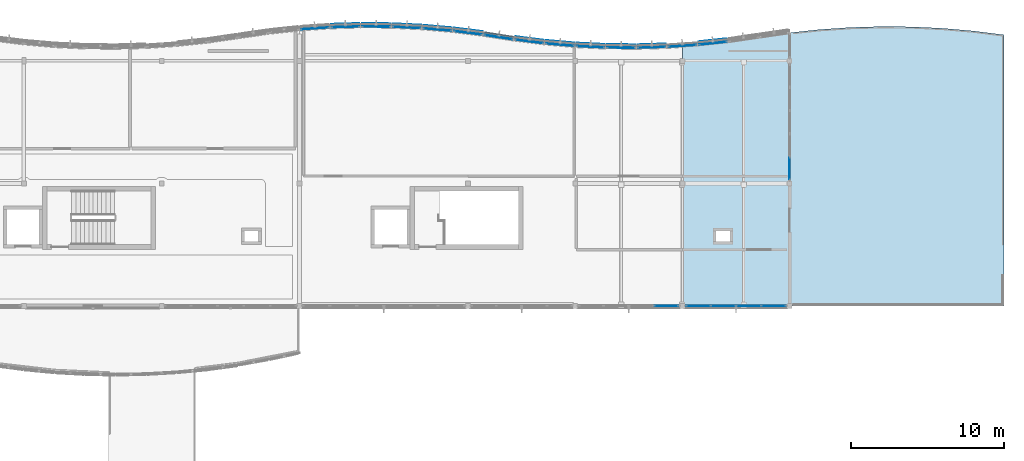
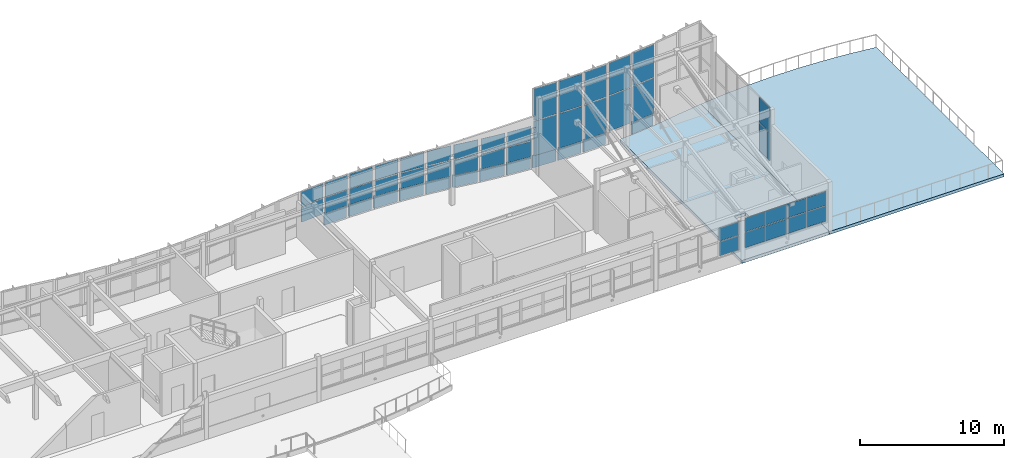
# One storey, part 18 of 33: 52 plates, 2 slabs, 17 elements without a shape of their own.
"""IFC4 building model written with IfcOpenShell, lengths in metres."""

from ifc_helpers import new_model, si_unit, direction, frame, origin, origin_2d, place, context, subcontext, project, spatial, polyline, rectangle, outline, extrude, material, layer, layer_set, type_object, element, aggregate, save


model = new_model("IFC4")

# Units and contexts
model_context = context("Model", 3, precision=1e-05, world=origin(), true_north=direction((0.0, 1.0)))
body_context = subcontext(model_context, "Body", "Model", "MODEL_VIEW")
ifc_project = project(units=[si_unit("LENGTHUNIT", "METRE"), si_unit("AREAUNIT", "SQUARE_METRE"), si_unit("VOLUMEUNIT", "CUBIC_METRE"), si_unit("PLANEANGLEUNIT", "RADIAN"), si_unit("MASSUNIT", "GRAM", prefix="KILO")], contexts=[model_context])

# Site, building, storey
site_placement = place(None, origin())
site = spatial("IfcSite", under=ifc_project, at=site_placement, CompositionType="ELEMENT")
building_placement = place(site_placement, origin())
building = spatial("IfcBuilding", under=site, at=building_placement, Name="Tonlespit Floodbar School", CompositionType="ELEMENT")
storey_placement = place(building_placement, frame((0.0, 0.0, 16.199951171875)))
storey = spatial("IfcBuildingStorey", under=building, at=storey_placement, Name="L04", CompositionType="ELEMENT", Elevation=16.199951171875)

# Curtain wall, plates
ifc_material_1 = material(Name="Anodised Aluminium", Category="aluminium")
ifc_layer_1 = layer(ifc_material_1, 0.159912109375)
ifc_layer_set_1 = layer_set([ifc_layer_1], Name="Anodised Aluminium")
curtain_wall_type_1 = type_object("IfcCurtainWallType", Name="CurtainWall_1900x2700", PredefinedType="NOTDEFINED", material=ifc_layer_set_1)
curtain_wall_1_placement = place(storey_placement, origin())
curtain_wall_1 = element("IfcCurtainWall", 1, at=curtain_wall_1_placement, inside=storey, type_object=curtain_wall_type_1, Name="L04 unitised curtain wall 0477", PredefinedType="NOTDEFINED")
ifc_material_2 = material(Name="Laminated Low-E Glass", Category="glass")
ifc_layer_2 = layer(ifc_material_2, 0.028076171875)
ifc_layer_set_2 = layer_set([ifc_layer_2], Name="Laminated Low-E Glass")
plate_type_1 = type_object("IfcPlateType", Name="CW_Panel_Glaz_28", PredefinedType="CURTAIN_PANEL", material=ifc_layer_set_2)
plate_1_placement = place(storey_placement, frame((123.0, 122.1796875, 1.01513671875), z_axis=(0.0, 0.0, 1.0), x_axis=(0.998841500616, -0.048121270216, 0.0)))
plate_1 = element("IfcPlate", 2, at=plate_1_placement, type_object=plate_type_1, Name="CW-05 panel 1.1", PredefinedType="CURTAIN_PANEL", context=body_context, shape_type="SweptSolid", body=[
    extrude(rectangle(XDim=1.792236328125, YDim=0.028076171875, at=origin_2d()), origin(), (0.0, 0.0, 1.0), 1.30859375),
])
plate_2_placement = place(storey_placement, frame((123.0, 122.1796875, 2.388671875), z_axis=(0.0, 0.0, 1.0), x_axis=(0.998841500616, -0.048121270216, 0.0)))
plate_2 = element("IfcPlate", 3, at=plate_2_placement, type_object=plate_type_1, Name="CW-05 panel 1.2", PredefinedType="CURTAIN_PANEL", context=body_context, shape_type="SweptSolid", body=[
    extrude(rectangle(XDim=1.792236328125, YDim=0.028076171875, at=origin_2d()), origin(), (0.0, 0.0, 1.0), 1.200439453125),
])
aggregate(curtain_wall_1, [plate_1, plate_2])

ifc_layer_3 = layer(ifc_material_1, 0.159912109375)
ifc_layer_set_3 = layer_set([ifc_layer_3], Name="Anodised Aluminium")
curtain_wall_type_2 = type_object("IfcCurtainWallType", Name="CurtainWall_1950x2700", PredefinedType="NOTDEFINED", material=ifc_layer_set_3)
curtain_wall_2_placement = place(storey_placement, origin())
curtain_wall_2 = element("IfcCurtainWall", 4, at=curtain_wall_2_placement, inside=storey, type_object=curtain_wall_type_2, Name="L04 unitised curtain wall 0481", PredefinedType="NOTDEFINED")
plate_3_placement = place(storey_placement, frame((131.0, 121.268310546875, 1.01513671875), z_axis=(0.0, 0.0, 1.0), x_axis=(0.992155002499, -0.125013803299, 0.0)))
plate_3 = element("IfcPlate", 5, at=plate_3_placement, type_object=plate_type_1, Name="CW-04 panel 1.1", PredefinedType="CURTAIN_PANEL", context=body_context, shape_type="SweptSolid", body=[
    extrude(rectangle(XDim=1.805908203125, YDim=0.028076171875, at=origin_2d()), origin(), (0.0, 0.0, 1.0), 1.30859375),
])
plate_4_placement = place(storey_placement, frame((131.0, 121.268310546875, 2.388671875), z_axis=(0.0, 0.0, 1.0), x_axis=(0.992155002499, -0.125013803299, 0.0)))
plate_4 = element("IfcPlate", 6, at=plate_4_placement, type_object=plate_type_1, Name="CW-04 panel 1.2", PredefinedType="CURTAIN_PANEL", context=body_context, shape_type="SweptSolid", body=[
    extrude(rectangle(XDim=1.805908203125, YDim=0.028076171875, at=origin_2d()), origin(), (0.0, 0.0, 1.0), 1.200439453125),
])
aggregate(curtain_wall_2, [plate_3, plate_4])

ifc_layer_4 = layer(ifc_material_1, 0.159912109375)
ifc_layer_set_4 = layer_set([ifc_layer_4], Name="Anodised Aluminium")
curtain_wall_type_3 = type_object("IfcCurtainWallType", Name="CurtainWall_1900x5850", PredefinedType="NOTDEFINED", material=ifc_layer_set_4)
curtain_wall_3_placement = place(storey_placement, origin())
curtain_wall_3 = element("IfcCurtainWall", 7, at=curtain_wall_3_placement, inside=storey, type_object=curtain_wall_type_3, Name="L04 unitised curtain wall 0485", PredefinedType="NOTDEFINED")
plate_5_placement = place(storey_placement, frame((139.0, 120.8818359375, 1.01513671875), z_axis=(0.0, 0.0, 1.0), x_axis=(0.999585477883, 0.028790144226, 0.0)))
plate_5 = element("IfcPlate", 8, at=plate_5_placement, type_object=plate_type_1, Name="CW-70 panel 1.1", PredefinedType="CURTAIN_PANEL", context=body_context, shape_type="SweptSolid", body=[
    extrude(rectangle(XDim=1.790771484375, YDim=0.028076171875, at=origin_2d()), origin(), (0.0, 0.0, 1.0), 2.953125),
])
plate_6_placement = place(storey_placement, frame((139.0, 120.8818359375, 4.033203125), z_axis=(0.0, 0.0, 1.0), x_axis=(0.999585477883, 0.028790144226, 0.0)))
plate_6 = element("IfcPlate", 9, at=plate_6_placement, type_object=plate_type_1, Name="CW-70 panel 1.2", PredefinedType="CURTAIN_PANEL", context=body_context, shape_type="SweptSolid", body=[
    extrude(rectangle(XDim=1.790771484375, YDim=0.028076171875, at=origin_2d()), origin(), (0.0, 0.0, 1.0), 2.718505859375),
])
aggregate(curtain_wall_3, [plate_5, plate_6])

ifc_layer_5 = layer(ifc_material_1, 0.159912109375)
ifc_layer_set_5 = layer_set([ifc_layer_5], Name="Anodised Aluminium")
curtain_wall_type_4 = type_object("IfcCurtainWallType", Name="CurtainWall_6600x2500", PredefinedType="NOTDEFINED", material=ifc_layer_set_5)
curtain_wall_4_placement = place(storey_placement, origin())
curtain_wall_4 = element("IfcCurtainWall", 10, at=curtain_wall_4_placement, inside=storey, type_object=curtain_wall_type_4, Name="L04 unitised curtain wall 0493", PredefinedType="NOTDEFINED")
plate_7_placement = place(storey_placement, frame((139.958740234375, 104.0, 1.014892578125), z_axis=(0.0, 0.0, 1.0), x_axis=(-1.0, 0.0, 0.0)))
plate_7 = element("IfcPlate", 11, at=plate_7_placement, type_object=plate_type_1, Name="CW-78 panel 1.1", PredefinedType="CURTAIN_PANEL", context=body_context, shape_type="SweptSolid", body=[
    extrude(rectangle(XDim=1.552490234375, YDim=0.028076171875, at=origin_2d()), origin(), (0.0, 0.0, 1.0), 1.19921875),
])
plate_8_placement = place(storey_placement, frame((139.958740234375, 104.0, 2.279296875), z_axis=(0.0, 0.0, 1.0), x_axis=(-1.0, 0.0, 0.0)))
plate_8 = element("IfcPlate", 12, at=plate_8_placement, type_object=plate_type_1, Name="CW-78 panel 1.2", PredefinedType="CURTAIN_PANEL", context=body_context, shape_type="SweptSolid", body=[
    extrude(rectangle(XDim=1.552490234375, YDim=0.028076171875, at=origin_2d()), origin(), (0.0, 0.0, 1.0), 1.099365234375),
])
aggregate(curtain_wall_4, [plate_7, plate_8])

curtain_wall_5_placement = place(storey_placement, origin())
curtain_wall_5 = element("IfcCurtainWall", 13, at=curtain_wall_5_placement, inside=storey, type_object=curtain_wall_type_1, Name="L04 unitised curtain wall 0474", PredefinedType="NOTDEFINED")
ifc_layer_6 = layer(ifc_material_2, 0.031982421875)
ifc_layer_set_6 = layer_set([ifc_layer_6], Name="Laminated Low-E Glass")
plate_type_2 = type_object("IfcPlateType", Name="CW_Panel_Glaz_32", PredefinedType="CURTAIN_PANEL", material=ifc_layer_set_6)
plate_9_placement = place(storey_placement, frame((117.0, 122.121826171875, 1.01513671875), z_axis=(0.0, 0.0, 1.0), x_axis=(0.99773010165, 0.067339767311, 0.0)))
plate_9 = element("IfcPlate", 14, at=plate_9_placement, type_object=plate_type_2, Name="CW-05 panel 1.1", PredefinedType="CURTAIN_PANEL", context=body_context, shape_type="SweptSolid", body=[
    extrude(rectangle(XDim=1.794677734375, YDim=0.031982421875, at=origin_2d()), origin(), (0.0, 0.0, 1.0), 1.30859375),
])
plate_10_placement = place(storey_placement, frame((117.0, 122.121826171875, 2.388671875), z_axis=(0.0, 0.0, 1.0), x_axis=(0.99773010165, 0.067339767311, 0.0)))
plate_10 = element("IfcPlate", 15, at=plate_10_placement, type_object=plate_type_2, Name="CW-05 panel 1.2", PredefinedType="CURTAIN_PANEL", context=body_context, shape_type="SweptSolid", body=[
    extrude(rectangle(XDim=1.794677734375, YDim=0.031982421875, at=origin_2d()), origin(), (0.0, 0.0, 1.0), 1.200439453125),
])
aggregate(curtain_wall_5, [plate_9, plate_10])

curtain_wall_6_placement = place(storey_placement, origin())
curtain_wall_6 = element("IfcCurtainWall", 16, at=curtain_wall_6_placement, inside=storey, type_object=curtain_wall_type_2, Name="L04 unitised curtain wall 0478", PredefinedType="NOTDEFINED")
plate_11_placement = place(storey_placement, frame((125.0, 122.044677734375, 1.01513671875), z_axis=(0.0, 0.0, 1.0), x_axis=(0.996249148412, -0.086531117454, 0.0)))
plate_11 = element("IfcPlate", 17, at=plate_11_placement, type_object=plate_type_2, Name="CW-04 panel 1.1", PredefinedType="CURTAIN_PANEL", context=body_context, shape_type="SweptSolid", body=[
    extrude(rectangle(XDim=1.797607421875, YDim=0.031982421875, at=origin_2d()), origin(), (0.0, 0.0, 1.0), 1.30859375),
])
plate_12_placement = place(storey_placement, frame((125.0, 122.044677734375, 2.388671875), z_axis=(0.0, 0.0, 1.0), x_axis=(0.996249148412, -0.086531117454, 0.0)))
plate_12 = element("IfcPlate", 18, at=plate_12_placement, type_object=plate_type_2, Name="CW-04 panel 1.2", PredefinedType="CURTAIN_PANEL", context=body_context, shape_type="SweptSolid", body=[
    extrude(rectangle(XDim=1.797607421875, YDim=0.031982421875, at=origin_2d()), origin(), (0.0, 0.0, 1.0), 1.200439453125),
])
aggregate(curtain_wall_6, [plate_11, plate_12])

curtain_wall_7_placement = place(storey_placement, origin())
curtain_wall_7 = element("IfcCurtainWall", 19, at=curtain_wall_7_placement, inside=storey, type_object=curtain_wall_type_2, Name="L04 unitised curtain wall 0482", PredefinedType="NOTDEFINED")
plate_13_placement = place(storey_placement, frame((133.0, 121.055419921875, 1.01513671875), z_axis=(0.0, 0.0, 1.0), x_axis=(0.996249148412, -0.086531117454, 0.0)))
plate_13 = element("IfcPlate", 20, at=plate_13_placement, type_object=plate_type_2, Name="CW-04 panel 1.1", PredefinedType="CURTAIN_PANEL", context=body_context, shape_type="SweptSolid", body=[
    extrude(rectangle(XDim=1.797607421875, YDim=0.031982421875, at=origin_2d()), origin(), (0.0, 0.0, 1.0), 1.30859375),
])
plate_14_placement = place(storey_placement, frame((133.0, 121.055419921875, 2.388671875), z_axis=(0.0, 0.0, 1.0), x_axis=(0.996249148412, -0.086531117454, 0.0)))
plate_14 = element("IfcPlate", 21, at=plate_14_placement, type_object=plate_type_2, Name="CW-04 panel 1.2", PredefinedType="CURTAIN_PANEL", context=body_context, shape_type="SweptSolid", body=[
    extrude(rectangle(XDim=1.797607421875, YDim=0.031982421875, at=origin_2d()), origin(), (0.0, 0.0, 1.0), 1.200439453125),
])
aggregate(curtain_wall_7, [plate_13, plate_14])

ifc_layer_7 = layer(ifc_material_1, 0.159912109375)
ifc_layer_set_7 = layer_set([ifc_layer_7], Name="Anodised Aluminium")
curtain_wall_type_5 = type_object("IfcCurtainWallType", Name="CurtainWall_1900x5900", PredefinedType="NOTDEFINED", material=ifc_layer_set_7)
curtain_wall_8_placement = place(storey_placement, origin())
curtain_wall_8 = element("IfcCurtainWall", 22, at=curtain_wall_8_placement, inside=storey, type_object=curtain_wall_type_5, Name="L04 unitised curtain wall 0486", PredefinedType="NOTDEFINED")
plate_15_placement = place(storey_placement, frame((141.0, 120.978271484375, 1.01513671875), z_axis=(0.0, 0.0, 1.0), x_axis=(0.99773010165, 0.067339767311, 0.0)))
plate_15 = element("IfcPlate", 23, at=plate_15_placement, type_object=plate_type_2, Name="CW-71 panel 1.1", PredefinedType="CURTAIN_PANEL", context=body_context, shape_type="SweptSolid", body=[
    extrude(rectangle(XDim=1.794677734375, YDim=0.031982421875, at=origin_2d()), origin(), (0.0, 0.0, 1.0), 2.9794921875),
])
plate_16_placement = place(storey_placement, frame((141.0, 120.978271484375, 4.0595703125), z_axis=(0.0, 0.0, 1.0), x_axis=(0.99773010165, 0.067339767311, 0.0)))
plate_16 = element("IfcPlate", 24, at=plate_16_placement, type_object=plate_type_2, Name="CW-71 panel 1.2", PredefinedType="CURTAIN_PANEL", context=body_context, shape_type="SweptSolid", body=[
    extrude(rectangle(XDim=1.794677734375, YDim=0.031982421875, at=origin_2d()), origin(), (0.0, 0.0, 1.0), 2.742919921875),
])
aggregate(curtain_wall_8, [plate_15, plate_16])

curtain_wall_9_placement = place(storey_placement, origin())
curtain_wall_9 = element("IfcCurtainWall", 25, at=curtain_wall_9_placement, inside=storey, type_object=curtain_wall_type_1, Name="L04 unitised curtain wall 0475", PredefinedType="NOTDEFINED")
ifc_layer_8 = layer(ifc_material_2, 0.035888671875)
ifc_layer_set_8 = layer_set([ifc_layer_8], Name="Laminated Low-E Glass")
plate_type_3 = type_object("IfcPlateType", Name="CW_Panel_Glaz_36", PredefinedType="CURTAIN_PANEL", material=ifc_layer_set_8)
plate_17_placement = place(storey_placement, frame((119.0, 122.21826171875, 1.01513671875), z_axis=(0.0, 0.0, 1.0), x_axis=(0.999585477883, 0.028790144226, 0.0)))
plate_17 = element("IfcPlate", 26, at=plate_17_placement, type_object=plate_type_3, Name="CW-05 panel 1.1", PredefinedType="CURTAIN_PANEL", context=body_context, shape_type="SweptSolid", body=[
    extrude(rectangle(XDim=1.790771484375, YDim=0.035888671875, at=origin_2d()), origin(), (0.0, 0.0, 1.0), 1.30859375),
])
plate_18_placement = place(storey_placement, frame((119.0, 122.21826171875, 2.388671875), z_axis=(0.0, 0.0, 1.0), x_axis=(0.999585477883, 0.028790144226, 0.0)))
plate_18 = element("IfcPlate", 27, at=plate_18_placement, type_object=plate_type_3, Name="CW-05 panel 1.2", PredefinedType="CURTAIN_PANEL", context=body_context, shape_type="SweptSolid", body=[
    extrude(rectangle(XDim=1.790771484375, YDim=0.035888671875, at=origin_2d()), origin(), (0.0, 0.0, 1.0), 1.200439453125),
])
aggregate(curtain_wall_9, [plate_17, plate_18])

curtain_wall_10_placement = place(storey_placement, origin())
curtain_wall_10 = element("IfcCurtainWall", 28, at=curtain_wall_10_placement, inside=storey, type_object=curtain_wall_type_2, Name="L04 unitised curtain wall 0479", PredefinedType="NOTDEFINED")
plate_19_placement = place(storey_placement, frame((127.0, 121.831787109375, 1.01513671875), z_axis=(0.0, 0.0, 1.0), x_axis=(0.992155002499, -0.125013803299, 0.0)))
plate_19 = element("IfcPlate", 29, at=plate_19_placement, type_object=plate_type_3, Name="CW-04 panel 1.1", PredefinedType="CURTAIN_PANEL", context=body_context, shape_type="SweptSolid", body=[
    extrude(rectangle(XDim=1.805908203125, YDim=0.035888671875, at=origin_2d()), origin(), (0.0, 0.0, 1.0), 1.30859375),
])
plate_20_placement = place(storey_placement, frame((127.0, 121.831787109375, 2.388671875), z_axis=(0.0, 0.0, 1.0), x_axis=(0.992155002499, -0.125013803299, 0.0)))
plate_20 = element("IfcPlate", 30, at=plate_20_placement, type_object=plate_type_3, Name="CW-04 panel 1.2", PredefinedType="CURTAIN_PANEL", context=body_context, shape_type="SweptSolid", body=[
    extrude(rectangle(XDim=1.805908203125, YDim=0.035888671875, at=origin_2d()), origin(), (0.0, 0.0, 1.0), 1.200439453125),
])
aggregate(curtain_wall_10, [plate_19, plate_20])

ifc_layer_9 = layer(ifc_material_1, 0.159912109375)
ifc_layer_set_9 = layer_set([ifc_layer_9], Name="Anodised Aluminium")
curtain_wall_type_6 = type_object("IfcCurtainWallType", Name="CurtainWall_1900x5800", PredefinedType="NOTDEFINED", material=ifc_layer_set_9)
curtain_wall_11_placement = place(storey_placement, origin())
curtain_wall_11 = element("IfcCurtainWall", 31, at=curtain_wall_11_placement, inside=storey, type_object=curtain_wall_type_6, Name="L04 unitised curtain wall 0483", PredefinedType="NOTDEFINED")
plate_21_placement = place(storey_placement, frame((135.0, 120.92041015625, 1.01513671875), z_axis=(0.0, 0.0, 1.0), x_axis=(0.998841500616, -0.048121270216, 0.0)))
plate_21 = element("IfcPlate", 32, at=plate_21_placement, type_object=plate_type_3, Name="CW-69 panel 1.1", PredefinedType="CURTAIN_PANEL", context=body_context, shape_type="SweptSolid", body=[
    extrude(rectangle(XDim=1.792236328125, YDim=0.035888671875, at=origin_2d()), origin(), (0.0, 0.0, 1.0), 2.919677734375),
])
plate_22_placement = place(storey_placement, frame((135.0, 120.92041015625, 3.99951171875), z_axis=(0.0, 0.0, 1.0), x_axis=(0.998841500616, -0.048121270216, 0.0)))
plate_22 = element("IfcPlate", 33, at=plate_22_placement, type_object=plate_type_3, Name="CW-69 panel 1.2", PredefinedType="CURTAIN_PANEL", context=body_context, shape_type="SweptSolid", body=[
    extrude(rectangle(XDim=1.792236328125, YDim=0.035888671875, at=origin_2d()), origin(), (0.0, 0.0, 1.0), 2.687744140625),
])
aggregate(curtain_wall_11, [plate_21, plate_22])

ifc_layer_10 = layer(ifc_material_1, 0.159912109375)
ifc_layer_set_10 = layer_set([ifc_layer_10], Name="Anodised Aluminium")
curtain_wall_type_7 = type_object("IfcCurtainWallType", Name="CurtainWall_1950x6000", PredefinedType="NOTDEFINED", material=ifc_layer_set_10)
curtain_wall_12_placement = place(storey_placement, origin())
curtain_wall_12 = element("IfcCurtainWall", 34, at=curtain_wall_12_placement, inside=storey, type_object=curtain_wall_type_7, Name="L04 unitised curtain wall 0487", PredefinedType="NOTDEFINED")
plate_23_placement = place(storey_placement, frame((143.0, 121.152099609375, 1.01513671875), z_axis=(0.0, 0.0, 1.0), x_axis=(0.994388797288, 0.105787143968, 0.0)))
plate_23 = element("IfcPlate", 35, at=plate_23_placement, type_object=plate_type_3, Name="CW-72 panel 1.1", PredefinedType="CURTAIN_PANEL", context=body_context, shape_type="SweptSolid", body=[
    extrude(rectangle(XDim=1.80126953125, YDim=0.035888671875, at=origin_2d()), origin(), (0.0, 0.0, 1.0), 3.01220703125),
])
plate_24_placement = place(storey_placement, frame((143.0, 121.152099609375, 4.09228515625), z_axis=(0.0, 0.0, 1.0), x_axis=(0.994388797288, 0.105787143968, 0.0)))
plate_24 = element("IfcPlate", 36, at=plate_24_placement, type_object=plate_type_3, Name="CW-72 panel 1.2", PredefinedType="CURTAIN_PANEL", context=body_context, shape_type="SweptSolid", body=[
    extrude(rectangle(XDim=1.80126953125, YDim=0.035888671875, at=origin_2d()), origin(), (0.0, 0.0, 1.0), 2.77294921875),
])
aggregate(curtain_wall_12, [plate_23, plate_24])

ifc_layer_11 = layer(ifc_material_1, 0.159912109375)
ifc_layer_set_11 = layer_set([ifc_layer_11], Name="Anodised Aluminium")
curtain_wall_type_8 = type_object("IfcCurtainWallType", Name="CurtainWall_7600x4650", PredefinedType="NOTDEFINED", material=ifc_layer_set_11)
curtain_wall_13_placement = place(storey_placement, origin())
curtain_wall_13 = element("IfcCurtainWall", 37, at=curtain_wall_13_placement, inside=storey, type_object=curtain_wall_type_8, Name="L04 unitised curtain wall 0491", PredefinedType="NOTDEFINED")
plate_25_placement = place(storey_placement, frame((148.0, 112.976318359375, 1.01513671875), z_axis=(0.0, 0.0, 1.0), x_axis=(0.0, -1.0, 0.0)))
plate_25 = element("IfcPlate", 38, at=plate_25_placement, type_object=plate_type_3, Name="CW-76 panel 5.1", PredefinedType="CURTAIN_PANEL", context=body_context, shape_type="SweptSolid", body=[
    extrude(rectangle(XDim=1.422607421875, YDim=0.035888671875, at=origin_2d()), origin(), (0.0, 0.0, 1.0), 2.322265625),
])
plate_26_placement = place(storey_placement, frame((148.0, 112.976318359375, 3.40234375), z_axis=(0.0, 0.0, 1.0), x_axis=(0.0, -1.0, 0.0)))
plate_26 = element("IfcPlate", 39, at=plate_26_placement, type_object=plate_type_3, Name="CW-76 panel 5.2", PredefinedType="CURTAIN_PANEL", context=body_context, shape_type="SweptSolid", body=[
    extrude(rectangle(XDim=1.422607421875, YDim=0.035888671875, at=origin_2d()), origin(), (0.0, 0.0, 1.0), 2.135986328125),
])
aggregate(curtain_wall_13, [plate_25, plate_26])

curtain_wall_14_placement = place(storey_placement, origin())
curtain_wall_14 = element("IfcCurtainWall", 40, at=curtain_wall_14_placement, inside=storey, type_object=curtain_wall_type_1, Name="L04 unitised curtain wall 0476", PredefinedType="NOTDEFINED")
ifc_layer_12 = layer(ifc_material_2, 0.0419921875)
ifc_layer_set_12 = layer_set([ifc_layer_12], Name="Laminated Low-E Glass")
plate_type_4 = type_object("IfcPlateType", Name="CW_Panel_Glaz_42", PredefinedType="CURTAIN_PANEL", material=ifc_layer_set_12)
plate_27_placement = place(storey_placement, frame((121.0, 122.2373046875, 1.01513671875), z_axis=(0.0, 0.0, 1.0), x_axis=(0.999954083024, -0.009582893292, 0.0)))
plate_27 = element("IfcPlate", 41, at=plate_27_placement, type_object=plate_type_4, Name="CW-05 panel 1.1", PredefinedType="CURTAIN_PANEL", context=body_context, shape_type="SweptSolid", body=[
    extrude(rectangle(XDim=1.7900390625, YDim=0.0419921875, at=origin_2d()), origin(), (0.0, 0.0, 1.0), 1.30859375),
])
plate_28_placement = place(storey_placement, frame((121.0, 122.2373046875, 2.388671875), z_axis=(0.0, 0.0, 1.0), x_axis=(0.999954083024, -0.009582893292, 0.0)))
plate_28 = element("IfcPlate", 42, at=plate_28_placement, type_object=plate_type_4, Name="CW-05 panel 1.2", PredefinedType="CURTAIN_PANEL", context=body_context, shape_type="SweptSolid", body=[
    extrude(rectangle(XDim=1.7900390625, YDim=0.0419921875, at=origin_2d()), origin(), (0.0, 0.0, 1.0), 1.200439453125),
])
aggregate(curtain_wall_14, [plate_27, plate_28])

curtain_wall_15_placement = place(storey_placement, origin())
curtain_wall_15 = element("IfcCurtainWall", 43, at=curtain_wall_15_placement, inside=storey, type_object=curtain_wall_type_2, Name="L04 unitised curtain wall 0480", PredefinedType="NOTDEFINED")
plate_29_placement = place(storey_placement, frame((129.0, 121.550048828125, 1.01513671875), z_axis=(0.0, 0.0, 1.0), x_axis=(0.988102576465, -0.153796288585, 0.0)))
plate_29 = element("IfcPlate", 44, at=plate_29_placement, type_object=plate_type_4, Name="CW-04 panel 1.1", PredefinedType="CURTAIN_PANEL", context=body_context, shape_type="SweptSolid", body=[
    extrude(rectangle(XDim=1.814208984375, YDim=0.0419921875, at=origin_2d()), origin(), (0.0, 0.0, 1.0), 1.30859375),
])
plate_30_placement = place(storey_placement, frame((129.0, 121.550048828125, 2.388671875), z_axis=(0.0, 0.0, 1.0), x_axis=(0.988102576465, -0.153796288585, 0.0)))
plate_30 = element("IfcPlate", 45, at=plate_30_placement, type_object=plate_type_4, Name="CW-04 panel 1.2", PredefinedType="CURTAIN_PANEL", context=body_context, shape_type="SweptSolid", body=[
    extrude(rectangle(XDim=1.814208984375, YDim=0.0419921875, at=origin_2d()), origin(), (0.0, 0.0, 1.0), 1.200439453125),
])
aggregate(curtain_wall_15, [plate_29, plate_30])

curtain_wall_16_placement = place(storey_placement, origin())
curtain_wall_16 = element("IfcCurtainWall", 46, at=curtain_wall_16_placement, inside=storey, type_object=curtain_wall_type_3, Name="L04 unitised curtain wall 0484", PredefinedType="NOTDEFINED")
plate_31_placement = place(storey_placement, frame((137.0, 120.862548828125, 1.01513671875), z_axis=(0.0, 0.0, 1.0), x_axis=(0.999954083024, -0.009582893292, 0.0)))
plate_31 = element("IfcPlate", 47, at=plate_31_placement, type_object=plate_type_4, Name="CW-70 panel 1.1", PredefinedType="CURTAIN_PANEL", context=body_context, shape_type="SweptSolid", body=[
    extrude(rectangle(XDim=1.7900390625, YDim=0.0419921875, at=origin_2d()), origin(), (0.0, 0.0, 1.0), 2.933349609375),
])
plate_32_placement = place(storey_placement, frame((137.0, 120.862548828125, 4.01318359375), z_axis=(0.0, 0.0, 1.0), x_axis=(0.999954083024, -0.009582893292, 0.0)))
plate_32 = element("IfcPlate", 48, at=plate_32_placement, type_object=plate_type_4, Name="CW-70 panel 1.2", PredefinedType="CURTAIN_PANEL", context=body_context, shape_type="SweptSolid", body=[
    extrude(rectangle(XDim=1.7900390625, YDim=0.0419921875, at=origin_2d()), origin(), (0.0, 0.0, 1.0), 2.7001953125),
])
aggregate(curtain_wall_16, [plate_31, plate_32])

ifc_layer_13 = layer(ifc_material_1, 0.159912109375)
ifc_layer_set_13 = layer_set([ifc_layer_13], Name="Anodised Aluminium")
curtain_wall_type_9 = type_object("IfcCurtainWallType", Name="CurtainWall_6600x2650", PredefinedType="NOTDEFINED", material=ifc_layer_set_13)
curtain_wall_17_placement = place(storey_placement, origin())
curtain_wall_17 = element("IfcCurtainWall", 49, at=curtain_wall_17_placement, inside=storey, type_object=curtain_wall_type_9, Name="L04 unitised curtain wall 0492", PredefinedType="NOTDEFINED")
plate_33_placement = place(storey_placement, frame((146.958740234375, 104.0, 1.01513671875), z_axis=(0.0, 0.0, 1.0), x_axis=(-1.0, 0.0, 0.0)))
plate_33 = element("IfcPlate", 50, at=plate_33_placement, type_object=plate_type_4, Name="CW-77 panel 1.1", PredefinedType="CURTAIN_PANEL", context=body_context, shape_type="SweptSolid", body=[
    extrude(rectangle(XDim=1.552490234375, YDim=0.0419921875, at=origin_2d()), origin(), (0.0, 0.0, 1.0), 1.2744140625),
])
plate_34_placement = place(storey_placement, frame((146.958740234375, 104.0, 2.3544921875), z_axis=(0.0, 0.0, 1.0), x_axis=(-1.0, 0.0, 0.0)))
plate_34 = element("IfcPlate", 51, at=plate_34_placement, type_object=plate_type_4, Name="CW-77 panel 1.2", PredefinedType="CURTAIN_PANEL", context=body_context, shape_type="SweptSolid", body=[
    extrude(rectangle(XDim=1.552490234375, YDim=0.0419921875, at=origin_2d()), origin(), (0.0, 0.0, 1.0), 1.1689453125),
])
plate_35_placement = place(storey_placement, frame((145.324951171875, 104.0, 1.01513671875), z_axis=(0.0, 0.0, 1.0), x_axis=(-1.0, 0.0, 0.0)))
plate_35 = element("IfcPlate", 52, at=plate_35_placement, type_object=plate_type_4, Name="CW-77 panel 2.1", PredefinedType="CURTAIN_PANEL", context=body_context, shape_type="SweptSolid", body=[
    extrude(rectangle(XDim=1.5849609375, YDim=0.0419921875, at=origin_2d()), origin(), (0.0, 0.0, 1.0), 1.2744140625),
])
plate_36_placement = place(storey_placement, frame((145.324951171875, 104.0, 2.3544921875), z_axis=(0.0, 0.0, 1.0), x_axis=(-1.0, 0.0, 0.0)))
plate_36 = element("IfcPlate", 53, at=plate_36_placement, type_object=plate_type_4, Name="CW-77 panel 2.2", PredefinedType="CURTAIN_PANEL", context=body_context, shape_type="SweptSolid", body=[
    extrude(rectangle(XDim=1.5849609375, YDim=0.0419921875, at=origin_2d()), origin(), (0.0, 0.0, 1.0), 1.1689453125),
])
plate_37_placement = place(storey_placement, frame((143.675048828125, 104.0, 1.01513671875), z_axis=(0.0, 0.0, 1.0), x_axis=(-1.0, 0.0, 0.0)))
plate_37 = element("IfcPlate", 54, at=plate_37_placement, type_object=plate_type_4, Name="CW-77 panel 3.1", PredefinedType="CURTAIN_PANEL", context=body_context, shape_type="SweptSolid", body=[
    extrude(rectangle(XDim=1.5849609375, YDim=0.0419921875, at=origin_2d()), origin(), (0.0, 0.0, 1.0), 1.2744140625),
])
plate_38_placement = place(storey_placement, frame((143.675048828125, 104.0, 2.3544921875), z_axis=(0.0, 0.0, 1.0), x_axis=(-1.0, 0.0, 0.0)))
plate_38 = element("IfcPlate", 55, at=plate_38_placement, type_object=plate_type_4, Name="CW-77 panel 3.2", PredefinedType="CURTAIN_PANEL", context=body_context, shape_type="SweptSolid", body=[
    extrude(rectangle(XDim=1.5849609375, YDim=0.0419921875, at=origin_2d()), origin(), (0.0, 0.0, 1.0), 1.1689453125),
])
plate_39_placement = place(storey_placement, frame((142.041259765625, 104.0, 1.01513671875), z_axis=(0.0, 0.0, 1.0), x_axis=(-1.0, 0.0, 0.0)))
plate_39 = element("IfcPlate", 56, at=plate_39_placement, type_object=plate_type_4, Name="CW-77 panel 4.1", PredefinedType="CURTAIN_PANEL", context=body_context, shape_type="SweptSolid", body=[
    extrude(rectangle(XDim=1.552490234375, YDim=0.0419921875, at=origin_2d()), origin(), (0.0, 0.0, 1.0), 1.2744140625),
])
plate_40_placement = place(storey_placement, frame((142.041259765625, 104.0, 2.3544921875), z_axis=(0.0, 0.0, 1.0), x_axis=(-1.0, 0.0, 0.0)))
plate_40 = element("IfcPlate", 57, at=plate_40_placement, type_object=plate_type_4, Name="CW-77 panel 4.2", PredefinedType="CURTAIN_PANEL", context=body_context, shape_type="SweptSolid", body=[
    extrude(rectangle(XDim=1.552490234375, YDim=0.0419921875, at=origin_2d()), origin(), (0.0, 0.0, 1.0), 1.1689453125),
])
aggregate(curtain_wall_17, [plate_33, plate_34, plate_35, plate_36, plate_37, plate_38, plate_39, plate_40])

# Plates
ifc_material_3 = material(Name="White Architectural Aluminium", Category="aluminium")
ifc_layer_14 = layer(ifc_material_3, 0.06494140625)
ifc_layer_set_14 = layer_set([ifc_layer_14], Name="White Architectural Aluminium")
plate_type_5 = type_object("IfcPlateType", Name="FacadeRibbon_White_65", PredefinedType="SHEET", material=ifc_layer_set_14)
plate_41_placement = place(storey_placement, frame((118.994873046875, 122.400146484375, -0.1201171875), z_axis=(0.0, 0.0, 1.0), x_axis=(0.999584110869, 0.02883756748, 0.0)))
element("IfcPlate", 58, at=plate_41_placement, inside=storey, type_object=plate_type_5, Name="L04 flowing white street spandrel ribbon 0727", PredefinedType="SHEET", context=body_context, shape_type="SweptSolid", body=[
    extrude(rectangle(XDim=1.8408203125, YDim=0.06494140625, at=origin_2d()), origin(), (0.0, 0.0, 1.0), 1.070068359375),
])
plate_42_placement = place(storey_placement, frame((121.001708984375, 122.41943359375, -0.1201171875), z_axis=(0.0, 0.0, 1.0), x_axis=(0.999953926969, -0.009599163462, 0.0)))
element("IfcPlate", 59, at=plate_42_placement, inside=storey, type_object=plate_type_5, Name="L04 flowing white street spandrel ribbon 0728", PredefinedType="SHEET", context=body_context, shape_type="SweptSolid", body=[
    extrude(rectangle(XDim=1.840087890625, YDim=0.06494140625, at=origin_2d()), origin(), (0.0, 0.0, 1.0), 1.070068359375),
])
plate_43_placement = place(storey_placement, frame((123.0087890625, 122.361328125, -0.1201171875), z_axis=(0.0, 0.0, 1.0), x_axis=(0.998842769234, -0.048094930587, 0.0)))
element("IfcPlate", 60, at=plate_43_placement, inside=storey, type_object=plate_type_5, Name="L04 flowing white street spandrel ribbon 0729", PredefinedType="SHEET", context=body_context, shape_type="SweptSolid", body=[
    extrude(rectangle(XDim=1.84228515625, YDim=0.06494140625, at=origin_2d()), origin(), (0.0, 0.0, 1.0), 1.070068359375),
])
plate_44_placement = place(storey_placement, frame((125.015869140625, 122.225830078125, -0.1201171875), z_axis=(0.0, 0.0, 1.0), x_axis=(0.996245486492, -0.086573267488, 0.0)))
element("IfcPlate", 61, at=plate_44_placement, inside=storey, type_object=plate_type_5, Name="L04 flowing white street spandrel ribbon 0730", PredefinedType="SHEET", context=body_context, shape_type="SweptSolid", body=[
    extrude(rectangle(XDim=1.847412109375, YDim=0.06494140625, at=origin_2d()), origin(), (0.0, 0.0, 1.0), 1.070068359375),
])
plate_45_placement = place(storey_placement, frame((127.022705078125, 122.01220703125, -0.1201171875), z_axis=(0.0, 0.0, 1.0), x_axis=(0.99215533612, -0.125011155539, 0.0)))
element("IfcPlate", 62, at=plate_45_placement, inside=storey, type_object=plate_type_5, Name="L04 flowing white street spandrel ribbon 0731", PredefinedType="SHEET", context=body_context, shape_type="SweptSolid", body=[
    extrude(rectangle(XDim=1.855712890625, YDim=0.06494140625, at=origin_2d()), origin(), (0.0, 0.0, 1.0), 1.070068359375),
])
plate_46_placement = place(storey_placement, frame((129.028076171875, 121.729736328125, -0.1201171875), z_axis=(0.0, 0.0, 1.0), x_axis=(0.988094768361, -0.153846445322, 0.0)))
element("IfcPlate", 63, at=plate_46_placement, inside=storey, type_object=plate_type_5, Name="L04 flowing white street spandrel ribbon 0732", PredefinedType="SHEET", context=body_context, shape_type="SweptSolid", body=[
    extrude(rectangle(XDim=1.864013671875, YDim=0.06494140625, at=origin_2d()), origin(), (0.0, 0.0, 1.0), 1.070068359375),
])
plate_47_placement = place(storey_placement, frame((131.022705078125, 121.448974609375, -0.1201171875), z_axis=(0.0, 0.0, 1.0), x_axis=(0.99215533612, -0.125011155539, 0.0)))
element("IfcPlate", 64, at=plate_47_placement, inside=storey, type_object=plate_type_5, Name="L04 flowing white street spandrel ribbon 0733", PredefinedType="SHEET", context=body_context, shape_type="SweptSolid", body=[
    extrude(rectangle(XDim=1.855712890625, YDim=0.06494140625, at=origin_2d()), origin(), (0.0, 0.0, 1.0), 1.070068359375),
])
plate_48_placement = place(storey_placement, frame((133.015869140625, 121.23681640625, -0.1201171875), z_axis=(0.0, 0.0, 1.0), x_axis=(0.996245486492, -0.086573267488, 0.0)))
element("IfcPlate", 65, at=plate_48_placement, inside=storey, type_object=plate_type_5, Name="L04 flowing white street spandrel ribbon 0734", PredefinedType="SHEET", context=body_context, shape_type="SweptSolid", body=[
    extrude(rectangle(XDim=1.847412109375, YDim=0.06494140625, at=origin_2d()), origin(), (0.0, 0.0, 1.0), 1.070068359375),
])
plate_49_placement = place(storey_placement, frame((135.0087890625, 121.10205078125, -0.1201171875), z_axis=(0.0, 0.0, 1.0), x_axis=(0.998842769234, -0.048094930587, 0.0)))
element("IfcPlate", 66, at=plate_49_placement, inside=storey, type_object=plate_type_5, Name="L04 flowing white street spandrel ribbon 0735", PredefinedType="SHEET", context=body_context, shape_type="SweptSolid", body=[
    extrude(rectangle(XDim=1.84228515625, YDim=0.06494140625, at=origin_2d()), origin(), (0.0, 0.0, 1.0), 1.070068359375),
])
plate_50_placement = place(storey_placement, frame((137.001708984375, 121.044677734375, -0.1201171875), z_axis=(0.0, 0.0, 1.0), x_axis=(0.999953926969, -0.009599163462, 0.0)))
element("IfcPlate", 67, at=plate_50_placement, inside=storey, type_object=plate_type_5, Name="L04 flowing white street spandrel ribbon 0736", PredefinedType="SHEET", context=body_context, shape_type="SweptSolid", body=[
    extrude(rectangle(XDim=1.840087890625, YDim=0.06494140625, at=origin_2d()), origin(), (0.0, 0.0, 1.0), 1.070068359375),
])
plate_51_placement = place(storey_placement, frame((138.994873046875, 121.063720703125, -0.1201171875), z_axis=(0.0, 0.0, 1.0), x_axis=(0.999584110869, 0.02883756748, 0.0)))
element("IfcPlate", 68, at=plate_51_placement, inside=storey, type_object=plate_type_5, Name="L04 flowing white street spandrel ribbon 0737", PredefinedType="SHEET", context=body_context, shape_type="SweptSolid", body=[
    extrude(rectangle(XDim=1.8408203125, YDim=0.06494140625, at=origin_2d()), origin(), (0.0, 0.0, 1.0), 1.070068359375),
])
plate_52_placement = place(storey_placement, frame((142.980712890625, 121.3330078125, -0.1201171875), z_axis=(0.0, 0.0, 1.0), x_axis=(0.99439234017, 0.105753835922, 0.0)))
element("IfcPlate", 69, at=plate_52_placement, inside=storey, type_object=plate_type_5, Name="L04 flowing white street spandrel ribbon 0739", PredefinedType="SHEET", context=body_context, shape_type="SweptSolid", body=[
    extrude(rectangle(XDim=1.851318359375, YDim=0.06494140625, at=origin_2d()), origin(), (0.0, 0.0, 1.0), 1.070068359375),
])

# Slabs
ifc_material_4 = material(Name="CLT C24", Category="wood")
ifc_layer_15 = layer(ifc_material_4, 0.2548828125)
ifc_layer_set_15 = layer_set([ifc_layer_15], Name="CLT C24")
slab_type_1 = type_object("IfcSlabType", Name="Slab_Floor_CLT_220", PredefinedType="FLOOR", material=ifc_layer_set_15)
slab_1_placement = place(storey_placement, frame((0.0, 0.0, -0.2548828125)))
element("IfcSlab", 70, at=slab_1_placement, inside=storey, type_object=slab_type_1, Name="L04 V4 L04 east arts slab", PredefinedType="FLOOR", context=body_context, shape_type="SweptSolid", body=[
    extrude(outline(polyline([(141.0, 104.0), (148.0, 104.0), (148.0, 121.841552734375), (146.25, 121.5908203125), (144.5, 121.323974609375), (142.75, 121.1162109375), (141.0, 120.968505859375), (141.0, 104.0)]), holes=[polyline([(143.199951171875, 108.199951171875), (144.10009765625, 108.199951171875), (144.10009765625, 108.89990234375), (143.199951171875, 108.89990234375), (143.199951171875, 108.199951171875)])]), origin(), (0.0, 0.0, 1.0), 0.2548828125),
])
ifc_layer_16 = layer(ifc_material_4, 0.251953125)
ifc_layer_set_16 = layer_set([ifc_layer_16], Name="CLT C24")
slab_type_2 = type_object("IfcSlabType", Name="Slab_Terrace_CLT_210", PredefinedType="FLOOR", material=ifc_layer_set_16)
slab_2_placement = place(storey_placement, frame((0.0, 0.0, -0.251953125)))
element("IfcSlab", 71, at=slab_2_placement, inside=storey, type_object=slab_type_2, Name="L04 V4 L04 east step terrace", PredefinedType="FLOOR", context=body_context, shape_type="SweptSolid", body=[
    extrude(outline(polyline([(148.0, 104.0), (162.0, 104.0), (162.0, 121.705810546875), (160.0, 121.957763671875), (158.0, 122.131591796875), (156.0, 122.227783203125), (154.0, 122.2470703125), (152.0, 122.189208984375), (150.0, 122.05419921875), (148.0, 121.841552734375), (148.0, 104.0)])), origin(), (0.0, 0.0, 1.0), 0.251953125),
])

save(model, "model.ifc")
